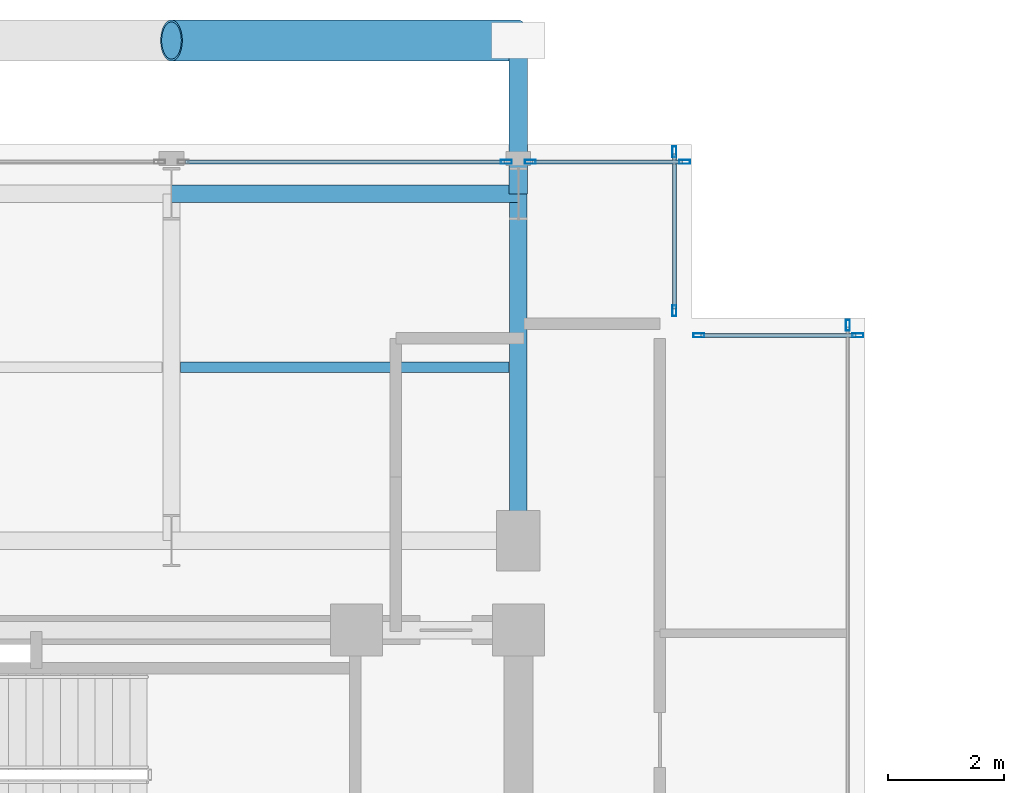
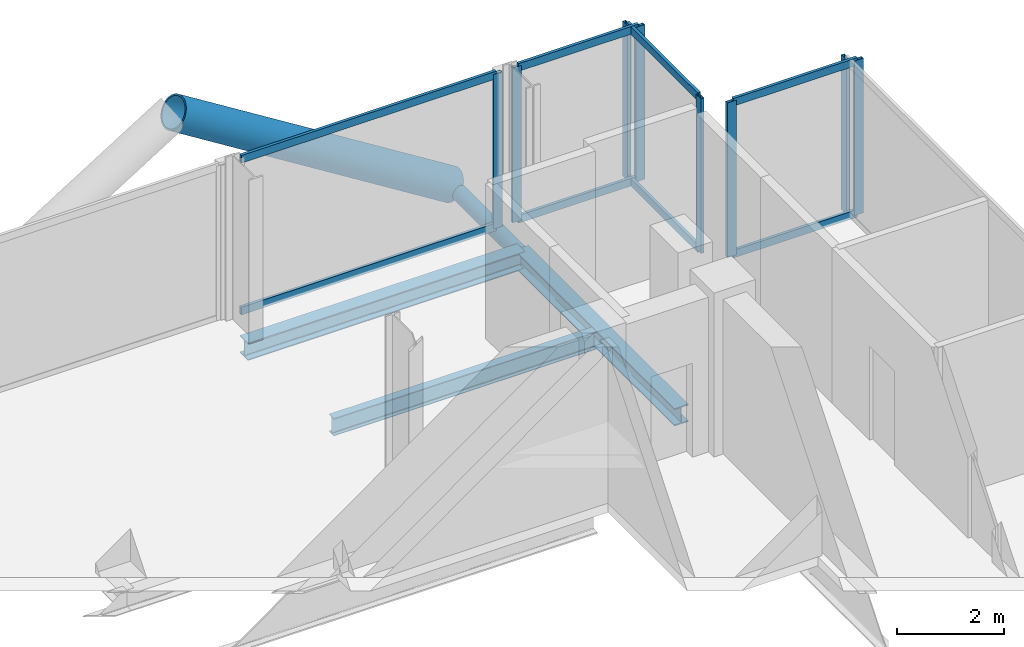
# One storey, part 15 of 25: 18 members, 3 beams, 5 elements without a shape of their own.
"""IFC4 building model written with IfcOpenShell, lengths in metres."""

from ifc_helpers import new_model, si_unit, direction, frame, origin, origin_2d, place, context, subcontext, project, spatial, hollow_rectangle, hollow_circle, i_section, extrude, material, layer, layer_set, material_profile, profile_set, type_object, element, aggregate, save


model = new_model("IFC4")

# Units and contexts
model_context = context("Model", 3, precision=1e-05, world=origin(), true_north=direction((0.0, 1.0)))
body_context = subcontext(model_context, "Body", "Model", "MODEL_VIEW")
ifc_project = project(units=[si_unit("LENGTHUNIT", "METRE"), si_unit("AREAUNIT", "SQUARE_METRE"), si_unit("VOLUMEUNIT", "CUBIC_METRE"), si_unit("PLANEANGLEUNIT", "RADIAN"), si_unit("MASSUNIT", "GRAM", prefix="KILO"), si_unit("THERMODYNAMICTEMPERATUREUNIT", "KELVIN"), si_unit("POWERUNIT", "WATT")], contexts=[model_context])

# Site, building, storey
site_placement = place(None, origin())
site = spatial("IfcSite", under=ifc_project, at=site_placement, CompositionType="ELEMENT")
building_placement = place(site_placement, origin())
building = spatial("IfcBuilding", under=site, at=building_placement, Name="Svarakhadi Broadcast Tower", CompositionType="ELEMENT")
storey_placement = place(building_placement, frame((0.0, 0.0, 212.39990234375)))
storey = spatial("IfcBuildingStorey", under=building, at=storey_placement, Name="L52", CompositionType="ELEMENT", Elevation=212.39990234375)

# Beam
ifc_material_1 = material(Name="Steel S355J2 (IS 2062 E350C)", Category="steel")
ifc_material_profile_1 = material_profile(ifc_material_1, i_section(OverallWidth=0.179931640625, OverallDepth=0.39990234375, WebThickness=0.008544921875, FlangeThickness=0.013427734375, FilletRadius=0.02099609375, at=origin_2d()), Name="NPB 400x180x66")
ifc_profile_set_1 = profile_set([ifc_material_profile_1], Name="Steel S355J2 (IS 2062 E350C)")
beam_type_1 = type_object("IfcBeamType", Name="Beam_NPB400", PredefinedType="BEAM", material=ifc_profile_set_1)
beam_placement = place(storey_placement, frame((12.159912109375, 32.14990234375, -0.409912109375), z_axis=(1.0, 0.0, 0.0), x_axis=(0.0, 1.0, 0.0)))
element("IfcBeam", 1, at=beam_placement, inside=storey, type_object=beam_type_1, Name="L52 Secondary Composite Beam SB012", PredefinedType="BEAM", context=body_context, shape_type="SweptSolid", body=[
    extrude(i_section(OverallWidth=0.179931640625, OverallDepth=0.39990234375, WebThickness=0.008544921875, FlangeThickness=0.013427734375, FilletRadius=0.02099609375, at=origin_2d()), origin(), (0.0, 0.0, 1.0), 5.68017578125),
])

# Curtain wall, member
ifc_material_2 = material(Name="Anodised Bronze Aluminium AA 6063-T6", Category="aluminium")
ifc_layer = layer(ifc_material_2, 0.18994140625)
ifc_layer_set = layer_set([ifc_layer], Name="Anodised Bronze Aluminium AA 6063-T6")
curtain_wall_type = type_object("IfcCurtainWallType", Name="CW_Sys_04", PredefinedType="NOTDEFINED", material=ifc_layer_set)
curtain_wall_1_placement = place(storey_placement, origin())
curtain_wall_1 = element("IfcCurtainWall", 2, at=curtain_wall_1_placement, inside=storey, type_object=curtain_wall_type, Name="L52 Unitised Facade Curtain Wall 06 Bay 2", PredefinedType="NOTDEFINED")
ifc_material_profile_2 = material_profile(ifc_material_2, hollow_rectangle(XDim=0.070068359375, YDim=0.18994140625, WallThickness=0.005615234375, at=origin_2d()), Name="ALU MULLION 190x70x6")
ifc_profile_set_2 = profile_set([ifc_material_profile_2], Name="Anodised Bronze Aluminium AA 6063-T6")
member_type_1 = type_object("IfcMemberType", Name="CW_Sys_04_Mul", PredefinedType="MULLION", material=ifc_profile_set_2)
member_1_placement = place(storey_placement, frame((17.794921875, 35.699951171875, 0.0), z_axis=(0.0, 0.0, 1.0), x_axis=(0.0, 1.0, 0.0)))
member_1 = element("IfcMember", 3, at=member_1_placement, type_object=member_type_1, Name="CW-04 mullion 2", PredefinedType="MULLION", context=body_context, shape_type="SweptSolid", body=[
    extrude(hollow_rectangle(XDim=0.070068359375, YDim=0.18994140625, WallThickness=0.005615234375, at=origin_2d()), origin(), (0.0, 0.0, 1.0), 3.5400390625),
])

# Curtain wall, members
curtain_wall_2_placement = place(storey_placement, origin())
curtain_wall_2 = element("IfcCurtainWall", 4, at=curtain_wall_2_placement, inside=storey, type_object=curtain_wall_type, Name="L52 Unitised Facade Curtain Wall 06 Bay 3", PredefinedType="NOTDEFINED")
member_2_placement = place(storey_placement, frame((18.205078125, 35.699951171875, 0.0), z_axis=(0.0, 0.0, 1.0), x_axis=(0.0, 1.0, 0.0)))
member_2 = element("IfcMember", 5, at=member_2_placement, type_object=member_type_1, Name="CW-04 mullion 1", PredefinedType="MULLION", context=body_context, shape_type="SweptSolid", body=[
    extrude(hollow_rectangle(XDim=0.070068359375, YDim=0.18994140625, WallThickness=0.005615234375, at=origin_2d()), origin(), (0.0, 0.0, 1.0), 3.5400390625),
])
member_3_placement = place(storey_placement, frame((20.875, 35.699951171875, 0.0), z_axis=(0.0, 0.0, 1.0), x_axis=(0.0, 1.0, 0.0)))
member_3 = element("IfcMember", 6, at=member_3_placement, type_object=member_type_1, Name="CW-04 mullion 2", PredefinedType="MULLION", context=body_context, shape_type="SweptSolid", body=[
    extrude(hollow_rectangle(XDim=0.070068359375, YDim=0.18994140625, WallThickness=0.005615234375, at=origin_2d()), origin(), (0.0, 0.0, 1.0), 3.5400390625),
])

curtain_wall_3_placement = place(storey_placement, origin())
curtain_wall_3 = element("IfcCurtainWall", 7, at=curtain_wall_3_placement, inside=storey, type_object=curtain_wall_type, Name="L52 Unitised Facade Curtain Wall 07", PredefinedType="NOTDEFINED")
member_4_placement = place(storey_placement, frame((20.699951171875, 35.875, 0.0), z_axis=(0.0, 0.0, 1.0), x_axis=(1.0, 0.0, 0.0)))
member_4 = element("IfcMember", 8, at=member_4_placement, type_object=member_type_1, Name="CW-04 mullion 1", PredefinedType="MULLION", context=body_context, shape_type="SweptSolid", body=[
    extrude(hollow_rectangle(XDim=0.070068359375, YDim=0.18994140625, WallThickness=0.005615234375, at=origin_2d()), origin(), (0.0, 0.0, 1.0), 3.5400390625),
])
member_5_placement = place(storey_placement, frame((20.699951171875, 33.125, 0.0), z_axis=(0.0, 0.0, 1.0), x_axis=(1.0, 0.0, 0.0)))
member_5 = element("IfcMember", 9, at=member_5_placement, type_object=member_type_1, Name="CW-04 mullion 2", PredefinedType="MULLION", context=body_context, shape_type="SweptSolid", body=[
    extrude(hollow_rectangle(XDim=0.070068359375, YDim=0.18994140625, WallThickness=0.005615234375, at=origin_2d()), origin(), (0.0, 0.0, 1.0), 3.5400390625),
])

curtain_wall_4_placement = place(storey_placement, origin())
curtain_wall_4 = element("IfcCurtainWall", 10, at=curtain_wall_4_placement, inside=storey, type_object=curtain_wall_type, Name="L52 Unitised Facade Curtain Wall 08", PredefinedType="NOTDEFINED")
member_6_placement = place(storey_placement, frame((21.125, 32.699951171875, 0.0), z_axis=(0.0, 0.0, 1.0), x_axis=(0.0, 1.0, 0.0)))
member_6 = element("IfcMember", 11, at=member_6_placement, type_object=member_type_1, Name="CW-04 mullion 1", PredefinedType="MULLION", context=body_context, shape_type="SweptSolid", body=[
    extrude(hollow_rectangle(XDim=0.070068359375, YDim=0.18994140625, WallThickness=0.005615234375, at=origin_2d()), origin(), (0.0, 0.0, 1.0), 3.5400390625),
])
member_7_placement = place(storey_placement, frame((23.875, 32.699951171875, 0.0), z_axis=(0.0, 0.0, 1.0), x_axis=(0.0, 1.0, 0.0)))
member_7 = element("IfcMember", 12, at=member_7_placement, type_object=member_type_1, Name="CW-04 mullion 2", PredefinedType="MULLION", context=body_context, shape_type="SweptSolid", body=[
    extrude(hollow_rectangle(XDim=0.070068359375, YDim=0.18994140625, WallThickness=0.005615234375, at=origin_2d()), origin(), (0.0, 0.0, 1.0), 3.5400390625),
])

# Curtain wall, member
curtain_wall_5_placement = place(storey_placement, origin())
curtain_wall_5 = element("IfcCurtainWall", 13, at=curtain_wall_5_placement, inside=storey, type_object=curtain_wall_type, Name="L52 Unitised Facade Curtain Wall 09", PredefinedType="NOTDEFINED")
member_8_placement = place(storey_placement, frame((23.699951171875, 32.875, 0.0), z_axis=(0.0, 0.0, 1.0), x_axis=(1.0, 0.0, 0.0)))
member_8 = element("IfcMember", 14, at=member_8_placement, type_object=member_type_1, Name="CW-04 mullion 1", PredefinedType="MULLION", context=body_context, shape_type="SweptSolid", body=[
    extrude(hollow_rectangle(XDim=0.070068359375, YDim=0.18994140625, WallThickness=0.005615234375, at=origin_2d()), origin(), (0.0, 0.0, 1.0), 3.5400390625),
])
aggregate(curtain_wall_5, [member_8])

# Member
ifc_material_profile_3 = material_profile(ifc_material_2, hollow_rectangle(XDim=0.06494140625, YDim=0.175048828125, WallThickness=0.0048828125, at=origin_2d()), Name="ALU TRANSOM 175x65x5")
ifc_profile_set_3 = profile_set([ifc_material_profile_3], Name="Anodised Bronze Aluminium AA 6063-T6")
member_type_2 = type_object("IfcMemberType", Name="CW_Sys_04_Trn", PredefinedType="USERDEFINED", material=ifc_profile_set_3)
member_9_placement = place(storey_placement, frame((12.239990234375, 35.699951171875, 0.03271484375), z_axis=(1.0, 0.0, 0.0), x_axis=(0.0, 1.0, 0.0)))
member_9 = element("IfcMember", 15, at=member_9_placement, type_object=member_type_2, Name="CW-04 transom 1.1", ObjectType="TRANSOM", PredefinedType="USERDEFINED", context=body_context, shape_type="SweptSolid", body=[
    extrude(hollow_rectangle(XDim=0.06494140625, YDim=0.175048828125, WallThickness=0.0048828125, at=origin_2d()), origin(), (0.0, 0.0, 1.0), 5.52001953125),
])

member_10_placement = place(storey_placement, frame((12.239990234375, 35.699951171875, 3.507568359375), z_axis=(1.0, 0.0, 0.0), x_axis=(0.0, 1.0, 0.0)))
member_10 = element("IfcMember", 16, at=member_10_placement, type_object=member_type_2, Name="CW-04 transom 1.2", ObjectType="TRANSOM", PredefinedType="USERDEFINED", context=body_context, shape_type="SweptSolid", body=[
    extrude(hollow_rectangle(XDim=0.06494140625, YDim=0.175048828125, WallThickness=0.0048828125, at=origin_2d()), origin(), (0.0, 0.0, 1.0), 5.52001953125),
])

aggregate(curtain_wall_1, [member_1, member_9, member_10])

member_11_placement = place(storey_placement, frame((18.239990234375, 35.699951171875, 0.03271484375), z_axis=(1.0, 0.0, 0.0), x_axis=(0.0, 1.0, 0.0)))
member_11 = element("IfcMember", 17, at=member_11_placement, type_object=member_type_2, Name="CW-04 transom 1.1", ObjectType="TRANSOM", PredefinedType="USERDEFINED", context=body_context, shape_type="SweptSolid", body=[
    extrude(hollow_rectangle(XDim=0.06494140625, YDim=0.175048828125, WallThickness=0.0048828125, at=origin_2d()), origin(), (0.0, 0.0, 1.0), 2.60009765625),
])

member_12_placement = place(storey_placement, frame((18.239990234375, 35.699951171875, 3.507568359375), z_axis=(1.0, 0.0, 0.0), x_axis=(0.0, 1.0, 0.0)))
member_12 = element("IfcMember", 18, at=member_12_placement, type_object=member_type_2, Name="CW-04 transom 1.2", ObjectType="TRANSOM", PredefinedType="USERDEFINED", context=body_context, shape_type="SweptSolid", body=[
    extrude(hollow_rectangle(XDim=0.06494140625, YDim=0.175048828125, WallThickness=0.0048828125, at=origin_2d()), origin(), (0.0, 0.0, 1.0), 2.60009765625),
])

aggregate(curtain_wall_2, [member_2, member_3, member_11, member_12])

member_13_placement = place(storey_placement, frame((20.699951171875, 35.840087890625, 0.03271484375), z_axis=(0.0, -1.0, 0.0), x_axis=(1.0, 0.0, 0.0)))
member_13 = element("IfcMember", 19, at=member_13_placement, type_object=member_type_2, Name="CW-04 transom 1.1", ObjectType="TRANSOM", PredefinedType="USERDEFINED", context=body_context, shape_type="SweptSolid", body=[
    extrude(hollow_rectangle(XDim=0.06494140625, YDim=0.175048828125, WallThickness=0.0048828125, at=origin_2d()), origin(), (0.0, 0.0, 1.0), 2.68017578125),
])

member_14_placement = place(storey_placement, frame((20.699951171875, 35.840087890625, 3.507568359375), z_axis=(0.0, -1.0, 0.0), x_axis=(1.0, 0.0, 0.0)))
member_14 = element("IfcMember", 20, at=member_14_placement, type_object=member_type_2, Name="CW-04 transom 1.2", ObjectType="TRANSOM", PredefinedType="USERDEFINED", context=body_context, shape_type="SweptSolid", body=[
    extrude(hollow_rectangle(XDim=0.06494140625, YDim=0.175048828125, WallThickness=0.0048828125, at=origin_2d()), origin(), (0.0, 0.0, 1.0), 2.68017578125),
])

aggregate(curtain_wall_3, [member_4, member_5, member_13, member_14])

member_15_placement = place(storey_placement, frame((21.159912109375, 32.699951171875, 0.03271484375), z_axis=(1.0, 0.0, 0.0), x_axis=(0.0, 1.0, 0.0)))
member_15 = element("IfcMember", 21, at=member_15_placement, type_object=member_type_2, Name="CW-04 transom 1.1", ObjectType="TRANSOM", PredefinedType="USERDEFINED", context=body_context, shape_type="SweptSolid", body=[
    extrude(hollow_rectangle(XDim=0.06494140625, YDim=0.175048828125, WallThickness=0.0048828125, at=origin_2d()), origin(), (0.0, 0.0, 1.0), 2.68017578125),
])

member_16_placement = place(storey_placement, frame((21.159912109375, 32.699951171875, 3.507568359375), z_axis=(1.0, 0.0, 0.0), x_axis=(0.0, 1.0, 0.0)))
member_16 = element("IfcMember", 22, at=member_16_placement, type_object=member_type_2, Name="CW-04 transom 1.2", ObjectType="TRANSOM", PredefinedType="USERDEFINED", context=body_context, shape_type="SweptSolid", body=[
    extrude(hollow_rectangle(XDim=0.06494140625, YDim=0.175048828125, WallThickness=0.0048828125, at=origin_2d()), origin(), (0.0, 0.0, 1.0), 2.68017578125),
])

aggregate(curtain_wall_4, [member_6, member_7, member_15, member_16])

# Members
ifc_material_3 = material(Name="Steel S460ML (IS 2062 E450BR)", Category="steel")
ifc_material_profile_4 = material_profile(ifc_material_3, hollow_circle(Radius=0.35546875, WallThickness=0.034912109375, at=origin_2d()), Name="CHS 711x35")
ifc_profile_set_4 = profile_set([ifc_material_profile_4], Name="Steel S460ML (IS 2062 E450BR)")
member_type_3 = type_object("IfcMemberType", Name="Exo_Brace_CHS711", PredefinedType="BRACE", material=ifc_profile_set_4)
member_17_placement = place(storey_placement, frame((18.0, 37.800048828125, -0.371826171875), z_axis=(-0.847998304005, 0.0, 0.529998940003), x_axis=(0.0, -1.0, 0.0)))
element("IfcMember", 23, at=member_17_placement, inside=storey, type_object=member_type_3, Name="L52 Exposed Bronze Exoskeleton Diagonal N09", PredefinedType="BRACE", context=body_context, shape_type="SweptSolid", body=[
    extrude(hollow_circle(Radius=0.35546875, WallThickness=0.034912109375, at=origin_2d()), origin(), (0.0, 0.0, 1.0), 7.075439453125),
])
ifc_material_profile_5 = material_profile(ifc_material_3, hollow_circle(Radius=0.161865234375, WallThickness=0.01611328125, at=origin_2d()), Name="CHS 323.9x16")
ifc_profile_set_5 = profile_set([ifc_material_profile_5], Name="Steel S460ML (IS 2062 E450BR)")
member_type_4 = type_object("IfcMemberType", Name="Exo_Radial_Strut_Z2", PredefinedType="STRUT", material=ifc_profile_set_5)
member_18_placement = place(storey_placement, frame((18.0, 37.800048828125, -0.371826171875), z_axis=(0.0, -1.0, 0.0), x_axis=(1.0, 0.0, 0.0)))
element("IfcMember", 24, at=member_18_placement, inside=storey, type_object=member_type_4, Name="L52 Exoskeleton Radial Tie Strut N10", PredefinedType="STRUT", context=body_context, shape_type="SweptSolid", body=[
    extrude(hollow_circle(Radius=0.161865234375, WallThickness=0.01611328125, at=origin_2d()), origin(), (0.0, 0.0, 1.0), 2.650146484375),
])

# Beams
ifc_material_profile_6 = material_profile(ifc_material_1, i_section(OverallWidth=0.300048828125, OverallDepth=0.39990234375, WebThickness=0.013427734375, FlangeThickness=0.02392578125, FilletRadius=0.027099609375, at=origin_2d()), Name="WPB 400x300x155")
ifc_profile_set_6 = profile_set([ifc_material_profile_6], Name="Steel S355J2 (IS 2062 E350C)")
beam_type_2 = type_object("IfcBeamType", Name="Girder_WPB400", PredefinedType="USERDEFINED", material=ifc_profile_set_6)
for number, where, z_axis, x_axis, name in (
    (25, (12.0, 35.14990234375, -0.409912109375), (1.0, 0.0, 0.0), (0.0, 1.0, 0.0), "L52 Primary E-W Girder G032"),
    (26, (18.0, 29.14990234375, -0.409912109375), (0.0, 1.0, 0.0), (-1.0, 0.0, 0.0), "L52 Primary N-S Girder G050"),
):
    element("IfcBeam", number, at=place(storey_placement, frame(where, z_axis=z_axis, x_axis=x_axis)), inside=storey, type_object=beam_type_2, Name=name, ObjectType="GIRDER", PredefinedType="USERDEFINED", context=body_context, shape_type="SweptSolid", body=[
        extrude(i_section(OverallWidth=0.300048828125, OverallDepth=0.39990234375, WebThickness=0.013427734375, FlangeThickness=0.02392578125, FilletRadius=0.027099609375, at=origin_2d()), origin(), (0.0, 0.0, 1.0), 6.0),
    ])

save(model, "model.ifc")
